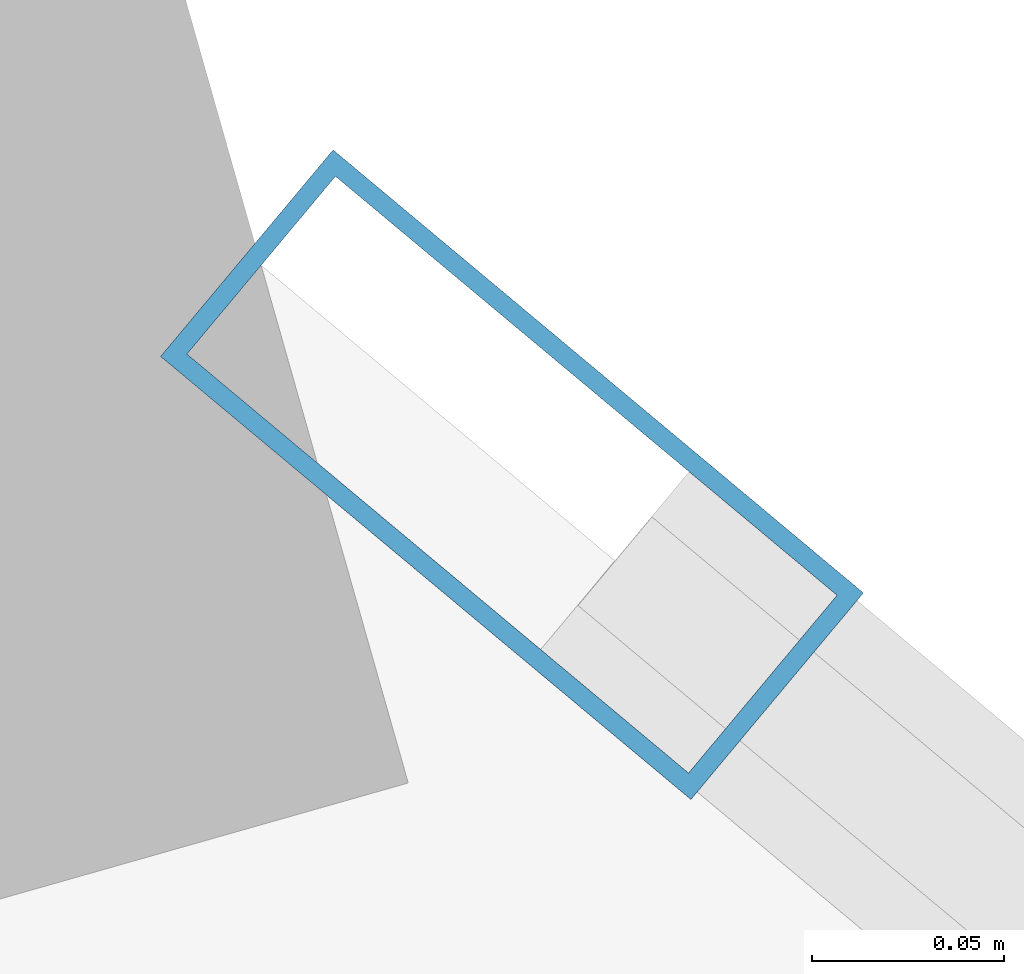
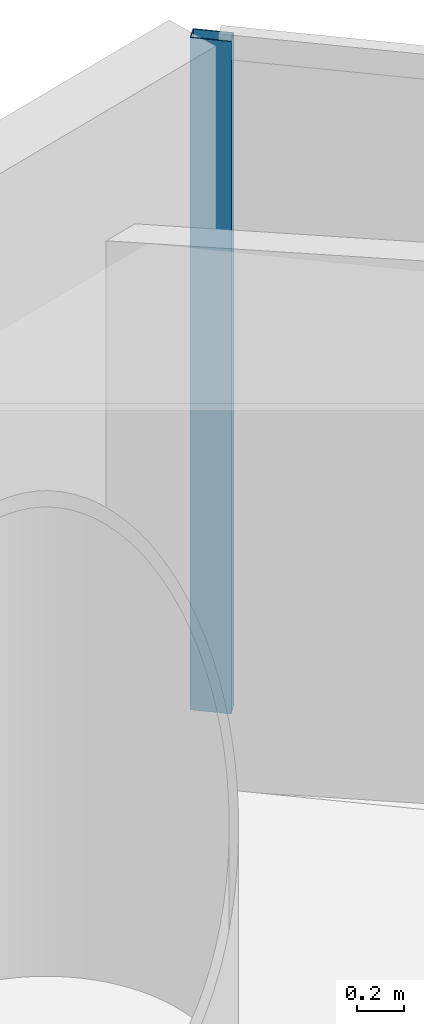
# One storey, part 15 of 23: 1 member, 1 element without a shape of its own.
"""IFC4 building model written with IfcOpenShell, lengths in metres."""

import ifcopenshell
import ifcopenshell.guid

model = None  # the IFC model being written
_history = None  # IfcOwnerHistory: only IFC2X3 demands one
_inside = {}  # id of a spatial element -> (the spatial element, [elements in it])
_under = {}  # id of a project, library or spatial element -> (it, [spatial elements below it])
_declared = {}  # id of a project -> (the project, [libraries it declares])
_typed = {}  # id of a type object -> (the type object, [elements of that type])
_made_of = {}  # id of a material, layer set ... -> (it, [elements and type objects made of it])


def new_model(schema):
    """Start an empty IFC model of exactly this schema.

    Asked for "IFC4X3", IfcOpenShell would pick the latest addendum, in which some entities
    have other attributes; the version numbers below select the first issue.
    IFC2X3 requires an IfcOwnerHistory on every rooted entity: one is made here for all.
    """
    global model, _history
    if schema == "IFC4X3":
        model = ifcopenshell.file(schema_version=(4, 3, 0, 0))
    else:
        model = ifcopenshell.file(schema=schema)
    _inside.clear()
    _under.clear()
    _declared.clear()
    _typed.clear()
    _made_of.clear()
    _history = None
    if model.schema == "IFC2X3":
        org = make("IfcOrganization", Name="unknown")
        user = make(
            "IfcPersonAndOrganization",
            ThePerson=make("IfcPerson", FamilyName="unknown"),
            TheOrganization=org,
        )
        app = make(
            "IfcApplication",
            ApplicationDeveloper=org,
            Version="unknown",
            ApplicationFullName="unknown",
            ApplicationIdentifier="unknown",
        )
        _history = make(
            "IfcOwnerHistory",
            OwningUser=user,
            OwningApplication=app,
            ChangeAction="ADDED",
            CreationDate=0,
        )
    return model


def make(cls, **values):
    """One entity of the class cls with the attributes given. An attribute that is None is left unset."""
    return model.create_entity(
        cls, **{name: value for name, value in values.items() if value is not None}
    )


def rooted(cls, **values):
    """An entity with a GlobalId (a new one), such as an element, a storey or a relation."""
    return make(cls, GlobalId=ifcopenshell.guid.new(), OwnerHistory=_history, **values)


def si_unit(unit_type, name, prefix=None):
    """IfcSIUnit, for example si_unit("LENGTHUNIT", "METRE", prefix="MILLI")."""
    return make("IfcSIUnit", UnitType=unit_type, Prefix=prefix, Name=name)


def assignment(units):
    """IfcUnitAssignment: the units of a project."""
    return None if units is None else make("IfcUnitAssignment", Units=units)


def point(xyz):
    """IfcCartesianPoint."""
    return None if xyz is None else make("IfcCartesianPoint", Coordinates=xyz)


def direction(xyz):
    """IfcDirection."""
    return None if xyz is None else make("IfcDirection", DirectionRatios=xyz)


def frame(location, z_axis=None, x_axis=None):
    """IfcAxis2Placement3D, a coordinate frame: its origin and axes. An axis left out is left unset."""
    return make(
        "IfcAxis2Placement3D",
        Location=point(location),
        Axis=direction(z_axis),
        RefDirection=direction(x_axis),
    )


def frame_2d(location, x_axis=None):
    """IfcAxis2Placement2D, a coordinate frame in the plane: its origin and x axis."""
    return make(
        "IfcAxis2Placement2D", Location=point(location), RefDirection=direction(x_axis)
    )


def origin():
    """The frame at (0, 0, 0) with its axes left unset."""
    return frame((0.0, 0.0, 0.0))


def origin_2d():
    """The frame at (0, 0) in the plane with its x axis left unset."""
    return frame_2d((0.0, 0.0))


def place(relative_to, where):
    """IfcLocalPlacement: puts the frame where relative to a parent placement (None: the world)."""
    return make(
        "IfcLocalPlacement", PlacementRelTo=relative_to, RelativePlacement=where
    )


def context(
    kind, dimensions, precision=None, world=None, true_north=None, identifier=None
):
    """IfcGeometricRepresentationContext, for example the 3D "Model" context."""
    return make(
        "IfcGeometricRepresentationContext",
        ContextIdentifier=identifier,
        ContextType=kind,
        CoordinateSpaceDimension=dimensions,
        Precision=precision,
        WorldCoordinateSystem=world,
        TrueNorth=true_north,
    )


def subcontext(parent, identifier, kind, view, scale=None):
    """IfcGeometricRepresentationSubContext, for example "Body" below "Model"."""
    return make(
        "IfcGeometricRepresentationSubContext",
        ContextIdentifier=identifier,
        ContextType=kind,
        ParentContext=parent,
        TargetScale=scale,
        TargetView=view,
    )


def project(units=None, contexts=None):
    """IfcProject with its units and contexts."""
    return rooted(
        "IfcProject",
        Name="project",
        RepresentationContexts=contexts,
        UnitsInContext=assignment(units),
    )


def spatial(cls, under=None, at=None, **own):
    """A site, building, storey or space (cls), placed at a placement, below another one or the project."""
    s = rooted(cls, ObjectPlacement=at, **own)
    if under is not None:
        _under.setdefault(under.id(), (under, []))[1].append(s)
    return s


def profile(cls, at=None, kind="AREA", **sizes):
    """A parametric profile (cls). Its sizes go by their IFC names, for example OverallWidth=200.0."""
    return make(cls, ProfileType=kind, Position=at, **sizes)


def hollow_rectangle(**sizes):
    """IfcRectangleHollowProfileDef."""
    return profile("IfcRectangleHollowProfileDef", **sizes)


def extrude(swept, where, along, depth):
    """IfcExtrudedAreaSolid: the profile swept, set in the frame where, extruded along a direction by depth."""
    return make(
        "IfcExtrudedAreaSolid",
        SweptArea=swept,
        Position=where,
        ExtrudedDirection=direction(along),
        Depth=depth,
    )


def shape(context_of_items, identifier, shape_type, items):
    """IfcShapeRepresentation: the items that make up one representation, for example the "Body"."""
    return make(
        "IfcShapeRepresentation",
        ContextOfItems=context_of_items,
        RepresentationIdentifier=identifier,
        RepresentationType=shape_type,
        Items=items,
    )


def material(Name=None, Category=None):
    """IfcMaterial."""
    return make("IfcMaterial", Name=Name, Category=Category)


def layer(
    of_material, thickness, ventilated=None, Name=None, Category=None, Priority=None
):
    """IfcMaterialLayer: one layer of a wall or slab, of a material (None: an air gap)."""
    return make(
        "IfcMaterialLayer",
        Material=of_material,
        LayerThickness=thickness,
        IsVentilated=ventilated,
        Name=Name,
        Category=Category,
        Priority=Priority,
    )


def layer_set(layers, Name=None):
    """IfcMaterialLayerSet."""
    return make("IfcMaterialLayerSet", MaterialLayers=layers, LayerSetName=Name)


def material_profile(
    of_material, cross_section, Name=None, Category=None, Priority=None
):
    """IfcMaterialProfile: a cross section and its material."""
    return make(
        "IfcMaterialProfile",
        Name=Name,
        Material=of_material,
        Profile=cross_section,
        Priority=Priority,
        Category=Category,
    )


def profile_set(profiles, Name=None, composite=None):
    """IfcMaterialProfileSet."""
    return make(
        "IfcMaterialProfileSet",
        Name=Name,
        MaterialProfiles=profiles,
        CompositeProfile=composite,
    )


def made_of(thing, what):
    """Note that an element or type object is made of a material, layer set ...; save() writes the relation."""
    if what is not None:
        _made_of.setdefault(what.id(), (what, []))[1].append(thing)
    return thing


def type_object(cls, material=None, **own):
    """A type object (cls), such as IfcWallType, which elements share."""
    return made_of(rooted(cls, **own), material)


def element(
    cls,
    number,
    at=None,
    inside=None,
    cuts=None,
    type_object=None,
    material=None,
    context=None,
    identifier="Body",
    shape_type=None,
    held_by="IfcProductDefinitionShape",
    body=None,
    shapes=None,
    **own,
):
    """One element of the class cls, such as IfcWall. Its Tag is "e" and its number.

    at: its placement. inside: the storey or other place that contains it. cuts: it is an
    opening in that element (IfcRelVoidsElement). A single representation is given by context,
    identifier, shape_type and body (its items); several are given by shapes. held_by: the class
    of the entity that holds the representations. save() writes the other relations.
    """
    e = rooted(cls, Tag="e%d" % number, ObjectPlacement=at, **own)
    if body is not None:
        shapes = [shape(context, identifier, shape_type, body)]
    if shapes is not None:
        e.Representation = make(held_by, Representations=shapes)
    if inside is not None:
        _inside.setdefault(inside.id(), (inside, []))[1].append(e)
    if cuts is not None:
        rooted(
            "IfcRelVoidsElement", RelatingBuildingElement=cuts, RelatedOpeningElement=e
        )
    if type_object is not None:
        _typed.setdefault(type_object.id(), (type_object, []))[1].append(e)
    return made_of(e, material)


def aggregate(whole, parts):
    """IfcRelAggregates: a whole, such as a stair, and the parts it consists of."""
    return rooted("IfcRelAggregates", RelatingObject=whole, RelatedObjects=parts)


def save(model, path):
    """Write the relations noted so far, then the file.

    IfcRelAggregates (storeys below a building ...), IfcRelContainedInSpatialStructure (elements
    in a storey), IfcRelDefinesByType, IfcRelAssociatesMaterial and IfcRelDeclares: one each for
    every whole, place, type object, material and project.
    """
    for whole, parts in _under.values():
        aggregate(whole, parts)
    for where, things in _inside.values():
        rooted(
            "IfcRelContainedInSpatialStructure",
            RelatedElements=things,
            RelatingStructure=where,
        )
    for kind, things in _typed.values():
        rooted("IfcRelDefinesByType", RelatedObjects=things, RelatingType=kind)
    for what, things in _made_of.values():
        rooted("IfcRelAssociatesMaterial", RelatedObjects=things, RelatingMaterial=what)
    for by, libraries in _declared.values():
        rooted("IfcRelDeclares", RelatingContext=by, RelatedDefinitions=libraries)
    model.write(path)


model = new_model("IFC4")

# Units and contexts
model_context = context("Model", 3, precision=1e-05, world=origin(), true_north=direction((0.0, 1.0)))
body_context = subcontext(model_context, "Body", "Model", "MODEL_VIEW")
ifc_project = project(units=[si_unit("LENGTHUNIT", "METRE"), si_unit("AREAUNIT", "SQUARE_METRE"), si_unit("VOLUMEUNIT", "CUBIC_METRE"), si_unit("PLANEANGLEUNIT", "RADIAN"), si_unit("MASSUNIT", "GRAM", prefix="KILO")], contexts=[model_context])

# Site, building, storey
site_placement = place(None, origin())
site = spatial("IfcSite", under=ifc_project, at=site_placement, CompositionType="ELEMENT")
building_placement = place(site_placement, origin())
building = spatial("IfcBuilding", under=site, at=building_placement, Name="Qianvela Tower", CompositionType="ELEMENT")
storey_placement = place(building_placement, frame((0.0, 0.0, 78.39990234375)))
storey = spatial("IfcBuildingStorey", under=building, at=storey_placement, Name="L19", CompositionType="ELEMENT", Elevation=78.39990234375)

# Curtain wall, member
ifc_material_1 = material(Name="Anodised Architectural Aluminium and Low-E Glass", Category="aluminium")
ifc_layer = layer(ifc_material_1, 0.179931640625)
ifc_layer_set = layer_set([ifc_layer], Name="Anodised Architectural Aluminium and Low-E Glass")
curtain_wall_type = type_object("IfcCurtainWallType", Name="CW-COLIV-Z12", PredefinedType="USERDEFINED", material=ifc_layer_set)
curtain_wall_placement = place(storey_placement, origin())
curtain_wall = element("IfcCurtainWall", 1, at=curtain_wall_placement, inside=storey, type_object=curtain_wall_type, Name="L19 CW-COLIV-Z12 Curtain Wall 02C", ObjectType="CURTAIN_WALL_SYSTEM", PredefinedType="USERDEFINED")
ifc_material_2 = material(Name="Anodised Architectural Aluminium 6063-T6", Category="aluminium")
ifc_material_profile = material_profile(ifc_material_2, hollow_rectangle(XDim=0.070068359375, YDim=0.179931640625, WallThickness=0.0048828125, at=origin_2d()), Name="ALU-MULL-70x180")
ifc_profile_set = profile_set([ifc_material_profile], Name="Anodised Architectural Aluminium 6063-T6")
member_type = type_object("IfcMemberType", Name="CW-COLIV-Z12-MULL", PredefinedType="MULLION", material=ifc_profile_set)
member_placement = place(storey_placement, frame((35.553466796875, 44.619140625, 0.0), z_axis=(0.0, 0.0, 1.0), x_axis=(-0.641088218, -0.767467195874, 0.0)))
member = element("IfcMember", 2, at=member_placement, type_object=member_type, Name="CW-3 mullion 2", PredefinedType="MULLION", context=body_context, shape_type="SweptSolid", body=[
    extrude(hollow_rectangle(XDim=0.070068359375, YDim=0.179931640625, WallThickness=0.0048828125, at=origin_2d()), origin(), (0.0, 0.0, 1.0), 3.52001953125),
])
aggregate(curtain_wall, [member])

save(model, "model.ifc")
